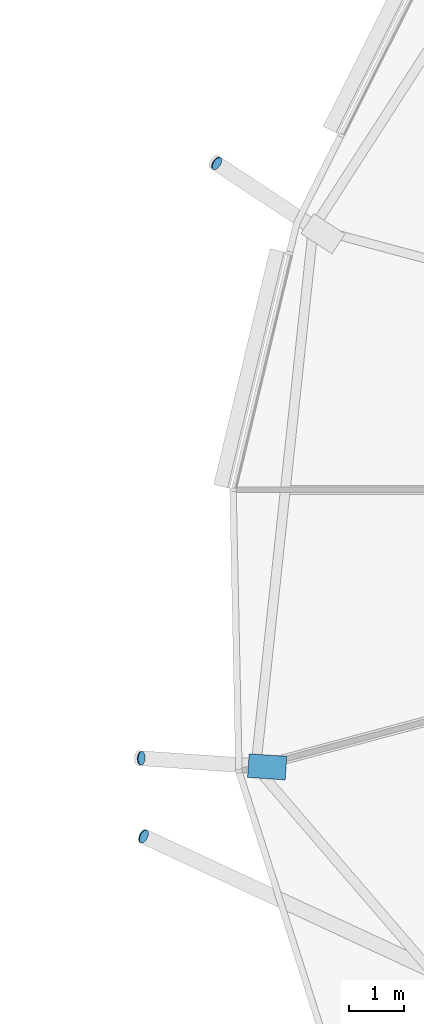
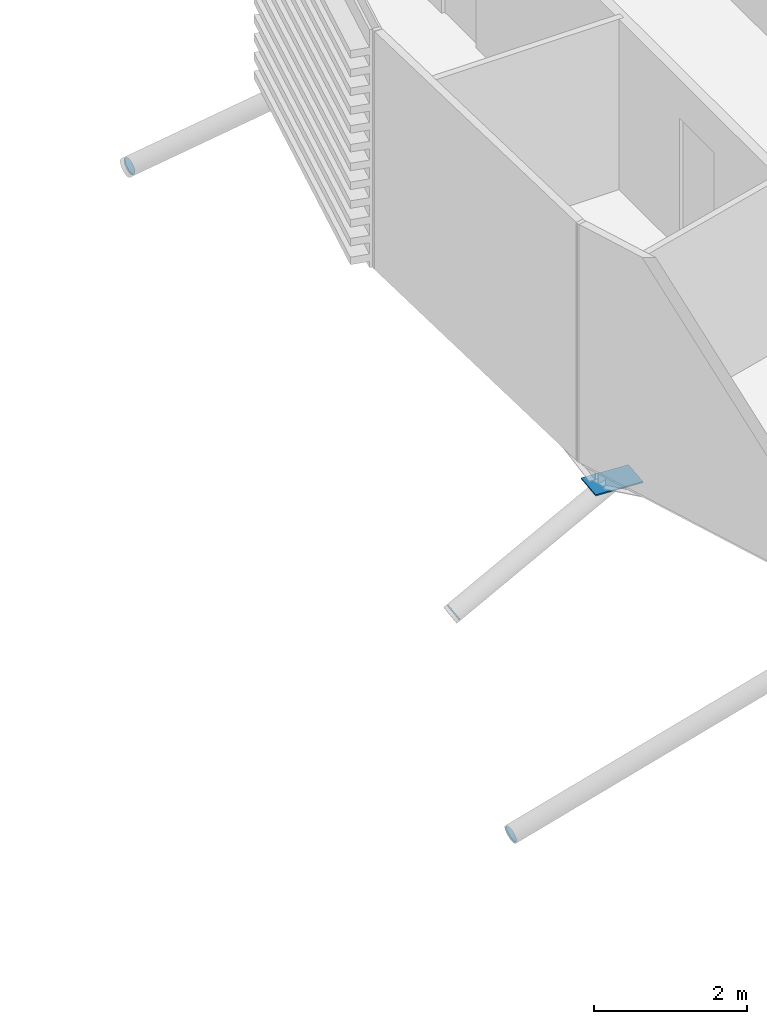
# One storey, part 25 of 33: 4 discrete accessories.
"""IFC4 building model written with IfcOpenShell, lengths in metres."""

from ifc_helpers import new_model, si_unit, direction, frame, origin, origin_2d, place, context, subcontext, project, spatial, polyline, rectangle, circle, outline, extrude, material, material_profile, profile_set, type_object, element, save


model = new_model("IFC4")

# Units and contexts
model_context = context("Model", 3, precision=1e-05, world=origin(), true_north=direction((0.0, 1.0)))
body_context = subcontext(model_context, "Body", "Model", "MODEL_VIEW")
ifc_project = project(units=[si_unit("LENGTHUNIT", "METRE"), si_unit("AREAUNIT", "SQUARE_METRE"), si_unit("VOLUMEUNIT", "CUBIC_METRE"), si_unit("PLANEANGLEUNIT", "RADIAN"), si_unit("MASSUNIT", "GRAM", prefix="KILO")], contexts=[model_context])

# Site, building, storey
site_placement = place(None, origin())
site = spatial("IfcSite", under=ifc_project, at=site_placement, CompositionType="ELEMENT")
building_placement = place(site_placement, origin())
building = spatial("IfcBuilding", under=site, at=building_placement, Name="Rimbun Link Towers", CompositionType="ELEMENT")
storey_placement = place(building_placement, frame((0.0, 0.0, 237.10009765625)))
storey = spatial("IfcBuildingStorey", under=building, at=storey_placement, Name="L58", CompositionType="ELEMENT", Elevation=237.10009765625)

# Discrete accessories
ifc_material_1 = material(Name="Steel S355J2H", Category="steel")
ifc_material_profile_1 = material_profile(ifc_material_1, circle(Radius=0.1240234375, at=origin_2d()), Name="PL D248")
ifc_profile_set_1 = profile_set([ifc_material_profile_1], Name="Steel S355J2H")
discrete_accessory_type_1 = type_object("IfcDiscreteAccessoryType", Name="Link foot sealing plate D248X20", PredefinedType="BRACKET", material=ifc_profile_set_1)
for number, where, z_axis, x_axis, name in (
    (1, (12.16015625, 5.96044921875, -1.89501953125), (-0.710867591371, 0.465740835726, -0.527022524637), (-0.548026257311, -0.83646112958, 0.0), "Link foot sealing plate T2 L58 08"),
    (2, (10.78369140625, -4.900634765625, -1.949951171875), (-0.855888994553, 0.061134928182, -0.513533396732), (-0.071247049988, -0.997458699831, 0.0), "Link foot sealing plate T2 L58 10"),
    (3, (10.825927734375, -6.32958984375, -4.640869140625), (-0.75688592537, 0.354027287673, -0.549352687769), (-0.423685108901, -0.905809543169, 0.0), "Link foot sealing plate T2 L58 11"),
):
    element("IfcDiscreteAccessory", number, at=place(storey_placement, frame(where, z_axis=z_axis, x_axis=x_axis)), inside=storey, type_object=discrete_accessory_type_1, Name=name, PredefinedType="BRACKET", context=body_context, shape_type="SweptSolid", body=[
        extrude(circle(Radius=0.1240234375, at=origin_2d()), origin(), (0.0, 0.0, 1.0), 0.02001953125),
    ])
ifc_material_2 = material(Name="Steel S355J2H", Category="steel")
ifc_material_profile_2 = material_profile(ifc_material_2, rectangle(XDim=0.43310546875, YDim=0.43310546875, at=origin_2d()), Name="PL 433x433")
ifc_profile_set_2 = profile_set([ifc_material_profile_2], Name="Steel S355J2H")
discrete_accessory_type_2 = type_object("IfcDiscreteAccessoryType", Name="Link head end plate 433X20", PredefinedType="BRACKET", material=ifc_profile_set_2)
discrete_accessory_placement = place(storey_placement, frame((0.0, 0.0, -0.56640625)))
element("IfcDiscreteAccessory", 4, at=discrete_accessory_placement, inside=storey, type_object=discrete_accessory_type_2, Name="Link head end plate T2 L58 10", PredefinedType="BRACKET", context=body_context, shape_type="SweptSolid", body=[
    extrude(outline(polyline([(13.435302734375, -4.86474609375), (12.747314453125, -4.81787109375), (12.718017578125, -5.249755859375), (13.40576171875, -5.296875), (13.435302734375, -4.86474609375)])), origin(), (0.0, 0.0, 1.0), 0.02001953125),
])

save(model, "model.ifc")
